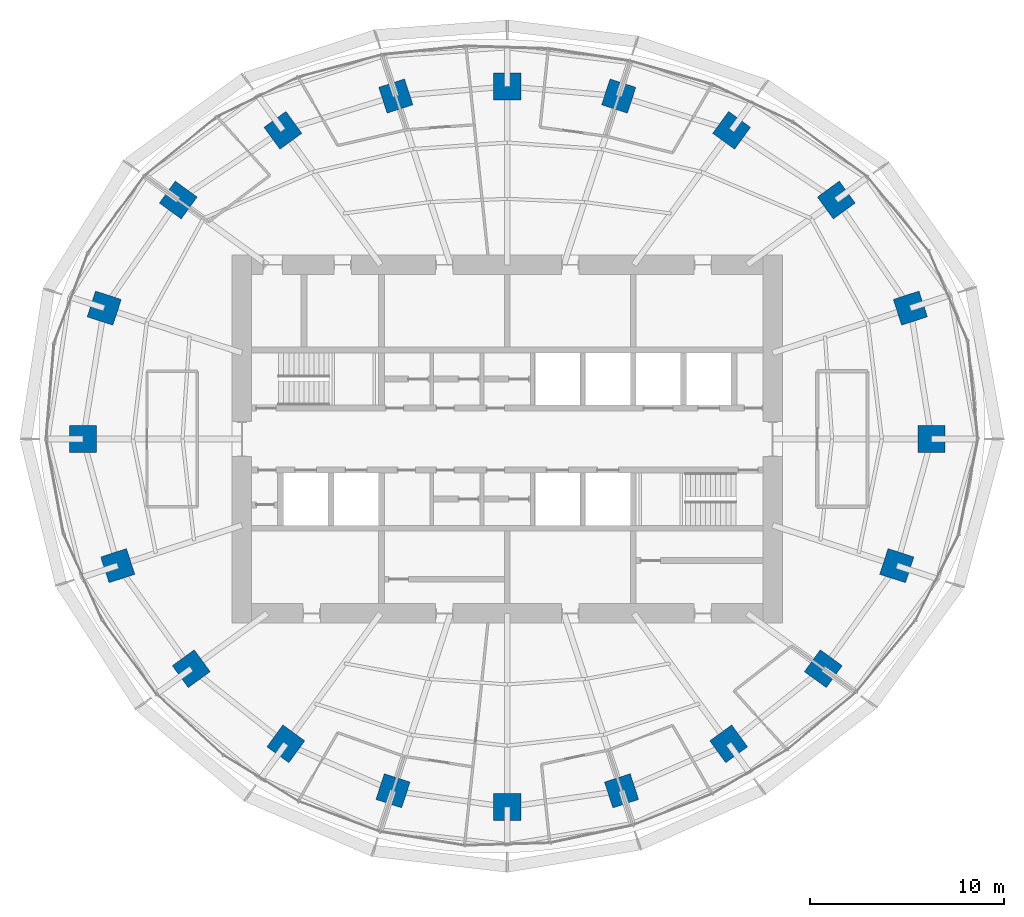
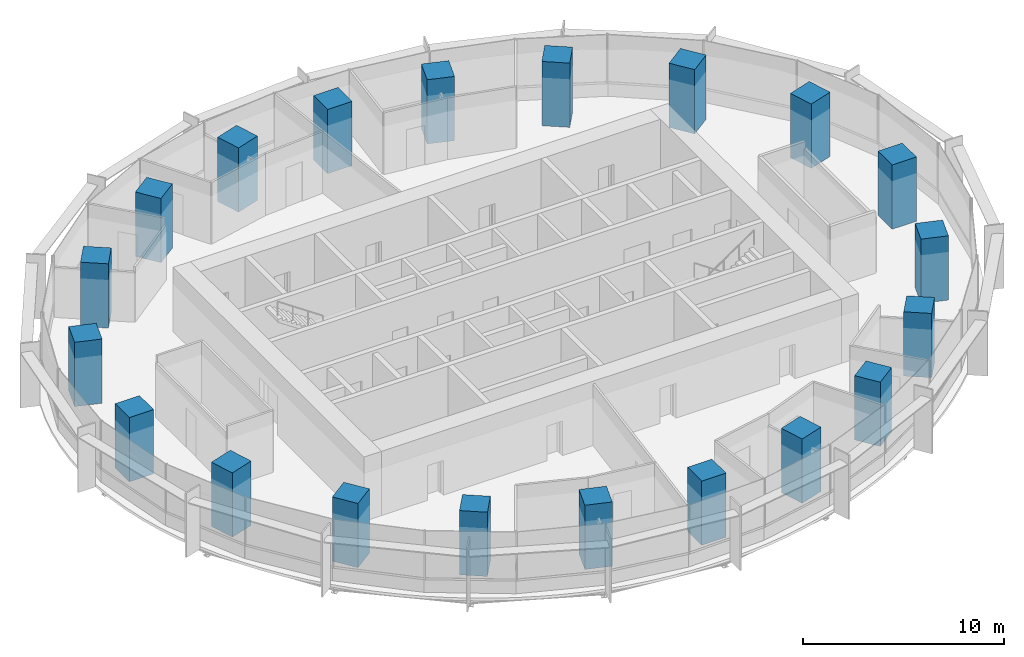
# One storey, part 1 of 15: 20 columns.
"""IFC4 building model written with IfcOpenShell, lengths in metres."""

from ifc_helpers import new_model, si_unit, direction, frame, origin, origin_2d, place, context, subcontext, project, spatial, rectangle, extrude, material, material_profile, profile_set, type_object, element, save


model = new_model("IFC4")

# Units and contexts
model_context = context("Model", 3, precision=1e-05, world=origin(), true_north=direction((0.0, 1.0)))
body_context = subcontext(model_context, "Body", "Model", "MODEL_VIEW")
ifc_project = project(units=[si_unit("LENGTHUNIT", "METRE"), si_unit("AREAUNIT", "SQUARE_METRE"), si_unit("VOLUMEUNIT", "CUBIC_METRE"), si_unit("PLANEANGLEUNIT", "RADIAN"), si_unit("MASSUNIT", "GRAM", prefix="KILO")], contexts=[model_context])

# Site, building, storey
site_placement = place(None, origin())
site = spatial("IfcSite", under=ifc_project, at=site_placement, CompositionType="ELEMENT")
building_placement = place(site_placement, origin())
building = spatial("IfcBuilding", under=site, at=building_placement, Name="Marramba Exchange Tower", CompositionType="ELEMENT")
storey_placement = place(building_placement, frame((0.0, 0.0, 191.60009765625)))
storey = spatial("IfcBuildingStorey", under=building, at=storey_placement, Name="L46", CompositionType="ELEMENT", Elevation=191.60009765625)

# Columns
ifc_material = material(Name="Concrete N50", Category="concrete")
ifc_material_profile = material_profile(ifc_material, rectangle(XDim=1.39990234375, YDim=1.39990234375, at=origin_2d()), Name="RC 1400x1400")
ifc_profile_set = profile_set([ifc_material_profile], Name="Concrete N50")
column_type = type_object("IfcColumnType", Name="Perimeter column RC 1400x1400 N50", PredefinedType="COLUMN", material=ifc_profile_set)
for number, where, z_axis, x_axis, name in (
    (1, (21.89990234375, 0.0, 0.0), (0.0, 0.0, 1.0), (1.0, 0.0, 0.0), "Column TC01 L46"),
    (2, (20.808349609375, 6.760986328125, 0.0), (0.0, 0.0, 1.0), (0.951056516295, 0.309016994375, 0.0), "Column TC02 L46"),
    (3, (16.98583984375, 12.3408203125, 0.0), (0.0, 0.0, 1.0), (0.809016994375, 0.587785252292, 0.0), "Column TC03 L46"),
    (4, (11.581298828125, 15.9404296875, 0.0), (0.0, 0.0, 1.0), (0.587785252292, 0.809016994375, 0.0), "Column TC04 L46"),
    (5, (5.75390625, 17.70849609375, 0.0), (0.0, 0.0, 1.0), (0.309016994375, 0.951056516295, 0.0), "Column TC05 L46"),
    (6, (0.0, 18.2041015625, 0.0), (0.0, 0.0, 1.0), (0.0, 1.0, 0.0), "Column TC06 L46"),
    (7, (-5.75390625, 17.70849609375, 0.0), (0.0, 0.0, 1.0), (-0.309016994375, 0.951056516295, 0.0), "Column TC07 L46"),
    (8, (-11.581298828125, 15.9404296875, 0.0), (0.0, 0.0, 1.0), (-0.587785252292, 0.809016994375, 0.0), "Column TC08 L46"),
    (9, (-16.98583984375, 12.3408203125, 0.0), (0.0, 0.0, 1.0), (-0.809016994375, 0.587785252292, 0.0), "Column TC09 L46"),
    (10, (-20.808349609375, 6.760986328125, 0.0), (0.0, 0.0, 1.0), (-0.951056516295, 0.309016994375, 0.0), "Column TC10 L46"),
    (11, (-21.89990234375, 0.0, 0.0), (0.0, 0.0, 1.0), (-1.0, 0.0, 0.0), "Column TC11 L46"),
    (12, (-20.109375, -6.533935546875, 0.0), (0.0, 0.0, 1.0), (-0.951056516295, -0.309016994375, 0.0), "Column TC12 L46"),
    (13, (-16.3154296875, -11.853759765625, 0.0), (0.0, 0.0, 1.0), (-0.809016994375, -0.587785252292, 0.0), "Column TC13 L46"),
    (14, (-11.430419921875, -15.732666015625, 0.0), (0.0, 0.0, 1.0), (-0.587785252292, -0.809016994375, 0.0), "Column TC14 L46"),
    (15, (-5.899658203125, -18.156982421875, 0.0), (0.0, 0.0, 1.0), (-0.309016994375, -0.951056516295, 0.0), "Column TC15 L46"),
    (16, (0.0, -18.99609375, 0.0), (0.0, 0.0, 1.0), (0.0, -1.0, 0.0), "Column TC16 L46"),
    (17, (5.899658203125, -18.156982421875, 0.0), (0.0, 0.0, 1.0), (0.309016994375, -0.951056516295, 0.0), "Column TC17 L46"),
    (18, (11.430419921875, -15.732666015625, 0.0), (0.0, 0.0, 1.0), (0.587785252292, -0.809016994375, 0.0), "Column TC18 L46"),
    (19, (16.3154296875, -11.853759765625, 0.0), (0.0, 0.0, 1.0), (0.809016994375, -0.587785252292, 0.0), "Column TC19 L46"),
    (20, (20.109375, -6.533935546875, 0.0), (0.0, 0.0, 1.0), (0.951056516295, -0.309016994375, 0.0), "Column TC20 L46"),
):
    element("IfcColumn", number, at=place(storey_placement, frame(where, z_axis=z_axis, x_axis=x_axis)), inside=storey, type_object=column_type, Name=name, PredefinedType="COLUMN", context=body_context, shape_type="SweptSolid", body=[
        extrude(rectangle(XDim=1.39990234375, YDim=1.39990234375, at=origin_2d()), origin(), (0.0, 0.0, 1.0), 3.89990234375),
    ])

save(model, "model.ifc")
